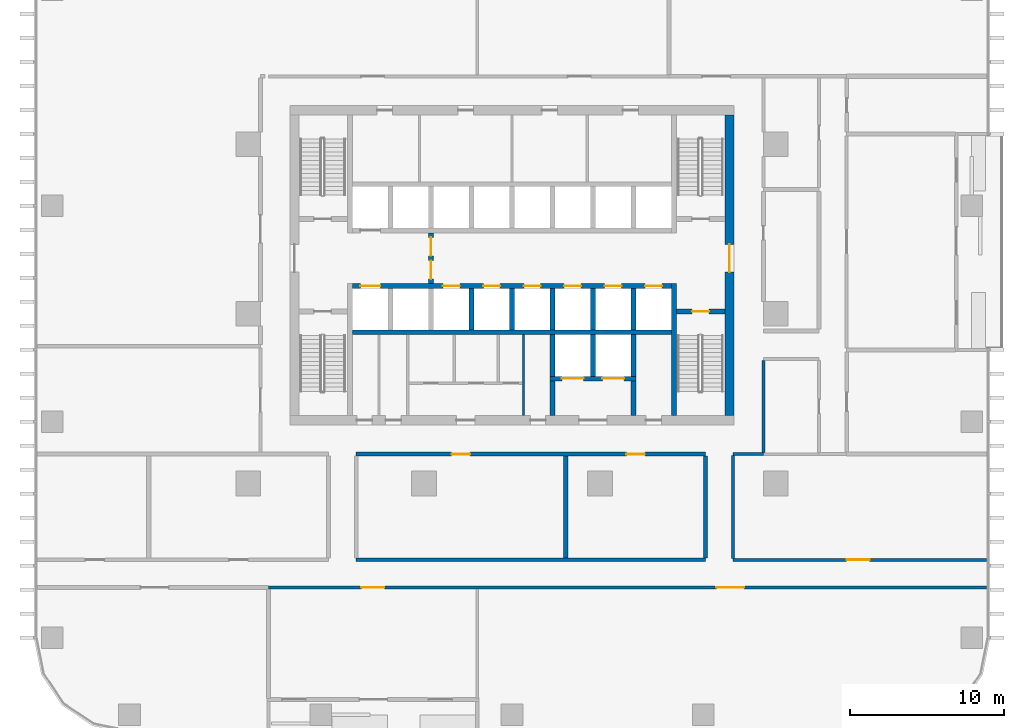
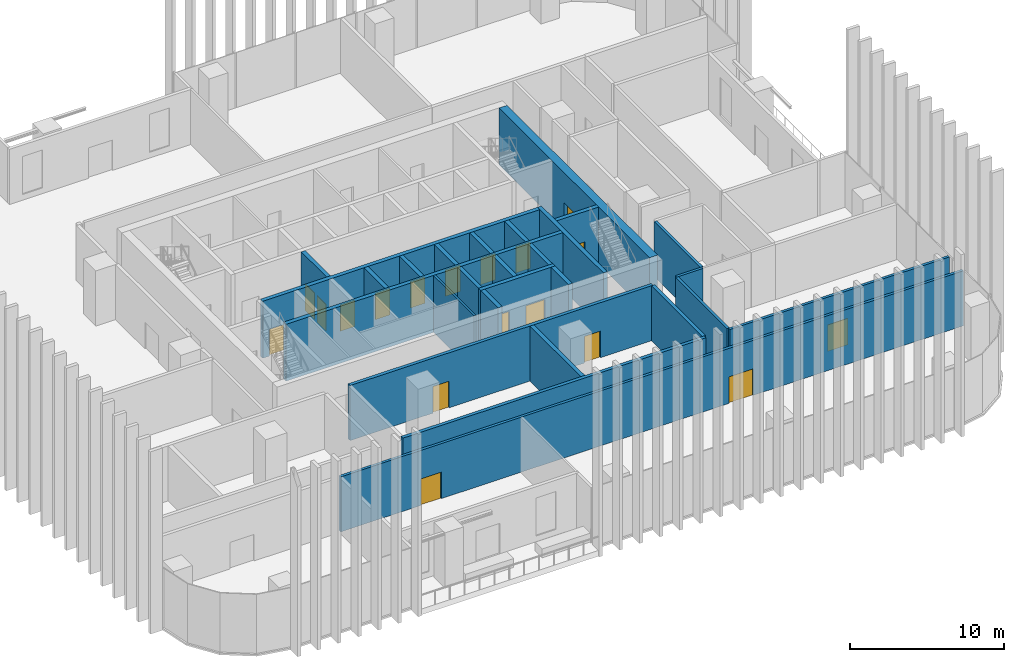
# One storey, part 8 of 16: 27 walls, 18 doors, 18 openings.
"""IFC4 building model written with IfcOpenShell, lengths in metres."""

from ifc_helpers import new_model, si_unit, direction, frame, frame_2d, origin, place, context, subcontext, project, spatial, rectangle, extrude, material, layer, layer_set, type_object, element, fill, save


model = new_model("IFC4")

# Units and contexts
model_context = context("Model", 3, precision=1e-05, world=origin(), true_north=direction((0.0, 1.0)))
body_context = subcontext(model_context, "Body", "Model", "MODEL_VIEW")
ifc_project = project(units=[si_unit("LENGTHUNIT", "METRE"), si_unit("AREAUNIT", "SQUARE_METRE"), si_unit("VOLUMEUNIT", "CUBIC_METRE"), si_unit("PLANEANGLEUNIT", "RADIAN"), si_unit("MASSUNIT", "GRAM", prefix="KILO")], contexts=[model_context])

# Site, building, storey
site_placement = place(None, origin())
site = spatial("IfcSite", under=ifc_project, at=site_placement, CompositionType="ELEMENT")
building_placement = place(site_placement, origin())
building = spatial("IfcBuilding", under=site, at=building_placement, Name="Mopane Tessera Tower", CompositionType="ELEMENT")
storey_placement = place(building_placement, frame((0.0, 0.0, 59.800048828125)))
storey = spatial("IfcBuildingStorey", under=building, at=storey_placement, Name="L11", CompositionType="ELEMENT", Elevation=59.800048828125)

# Wall
ifc_material_1 = material(Name="Fire-rated gypsum board partition")
ifc_layer_1 = layer(ifc_material_1, 0.14990234375)
ifc_layer_set_1 = layer_set([ifc_layer_1], Name="Fire-rated gypsum board partition")
wall_type_1 = type_object("IfcWallType", Name="Core room partition 150 mm", PredefinedType="PARTITIONING", material=ifc_layer_set_1)
wall_1_placement = place(storey_placement, frame((0.75, -6.60009765625, 0.0), z_axis=(0.0, 0.0, 1.0), x_axis=(0.0, 1.0, 0.0)))
element("IfcWall", 1, at=wall_1_placement, inside=storey, type_object=wall_type_1, Name="L11 Room partition", PredefinedType="PARTITIONING", context=body_context, shape_type="SweptSolid", body=[
    extrude(rectangle(XDim=5.25, YDim=0.14990234375, at=frame_2d((2.625, 0.0))), origin(), (0.0, 0.0, 1.0), 4.5),
])

# Wall, opening, door
ifc_material_2 = material(Name="Concrete C70/85", Category="concrete")
ifc_layer_2 = layer(ifc_material_2, 0.60009765625)
ifc_layer_set_2 = layer_set([ifc_layer_2], Name="Concrete C70/85")
wall_type_2 = type_object("IfcWallType", Name="Core shear wall 600 mm", PredefinedType="SHEAR", material=ifc_layer_set_2)
wall_2_placement = place(storey_placement, frame((14.10009765625, -6.60009765625, 0.0), z_axis=(0.0, 0.0, 1.0), x_axis=(0.0, 1.0, 0.0)))
wall_2 = element("IfcWall", 2, at=wall_2_placement, inside=storey, type_object=wall_type_2, Name="L11 Core wall east", PredefinedType="SHEAR", context=body_context, shape_type="SweptSolid", body=[
    extrude(rectangle(XDim=19.5, YDim=0.60009765625, at=frame_2d((9.75, 0.0))), origin(), (0.0, 0.0, 1.0), 4.5),
])
opening_1_placement = place(wall_2_placement, frame((9.300048828125, 0.0, 0.0)))
opening_1 = element("IfcOpeningElement", 3, at=opening_1_placement, cuts=wall_2, Name="Opening SD2", PredefinedType="OPENING", context=body_context, shape_type="SweptSolid", body=[
    extrude(rectangle(XDim=1.800048828125, YDim=2.10009765625, at=frame_2d((0.89990234375, 1.050048828125))), frame((0.0, 0.31201171875, 0.0), z_axis=(0.0, -1.0, 0.0), x_axis=(1.0, 0.0, 0.0)), (0.0, 0.0, 1.0), 0.6240234375),
])
ifc_material_3 = material(Name="Steel fire door", Category="steel")
door_type_1 = type_object("IfcDoorType", Name="Core entrance double door 1800 x 2100", OperationType="DOUBLE_DOOR_SINGLE_SWING", PredefinedType="DOOR", material=ifc_material_3)
door_1_placement = place(opening_1_placement, origin())
door_1 = element("IfcDoor", 4, at=door_1_placement, inside=storey, type_object=door_type_1, Name="L11 Core entrance door east", OperationType="DOUBLE_DOOR_SINGLE_SWING", OverallHeight=2.10009765625, OverallWidth=1.800048828125, PredefinedType="DOOR", context=body_context, shape_type="SweptSolid", body=[
    extrude(rectangle(XDim=1.800048828125, YDim=2.10009765625, at=frame_2d((0.89990234375, 1.050048828125))), frame((0.0, 0.02490234375, 0.0), z_axis=(0.0, -1.0, 0.0), x_axis=(1.0, 0.0, 0.0)), (0.0, 0.0, 1.0), 0.050048828125),
])
fill(opening_1, door_1)

# Wall
ifc_material_4 = material(Name="Concrete C60/75", Category="concrete")
ifc_layer_3 = layer(ifc_material_4, 0.300048828125)
ifc_layer_set_3 = layer_set([ifc_layer_3], Name="Concrete C60/75")
wall_type_3 = type_object("IfcWallType", Name="Core spine wall 300 mm", PredefinedType="SHEAR", material=ifc_layer_set_3)
wall_3_placement = place(storey_placement, frame((10.5, -6.60009765625, 0.0), z_axis=(0.0, 0.0, 1.0), x_axis=(0.0, 1.0, 0.0)))
element("IfcWall", 5, at=wall_3_placement, inside=storey, type_object=wall_type_3, Name="L11 Core spine wall", PredefinedType="SHEAR", context=body_context, shape_type="SweptSolid", body=[
    extrude(rectangle(XDim=8.550048828125, YDim=0.300048828125, at=frame_2d((4.27490234375, 0.0))), origin(), (0.0, 0.0, 1.0), 4.5),
])

# Wall, openings, doors
ifc_material_5 = material(Name="Gypsum board on steel studs, two layers each face, mineral wool infill", Category="steel")
ifc_layer_4 = layer(ifc_material_5, 0.199951171875)
ifc_layer_set_4 = layer_set([ifc_layer_4], Name="Gypsum board on steel studs, two layers each face, mineral wool infill")
wall_type_4 = type_object("IfcWallType", Name="Gypsum board corridor wall 200, rated EI 60", PredefinedType="PARTITIONING", material=ifc_layer_set_4)
wall_4_placement = place(storey_placement, frame((-15.780029296875, -17.75, 0.0), z_axis=(0.0, 0.0, 1.0), x_axis=(1.0, 0.0, 0.0)))
wall_4 = element("IfcWall", 6, at=wall_4_placement, inside=storey, type_object=wall_type_4, Name="Partition L11:000", PredefinedType="PARTITIONING", context=body_context, shape_type="SweptSolid", body=[
    extrude(rectangle(XDim=46.530029296875, YDim=0.199951171875, at=frame_2d((23.26513671875, 0.0))), origin(), (0.0, 0.0, 1.0), 4.349853515625),
])
opening_2_placement = place(wall_4_placement, frame((29.027587890625, 0.0, 0.0)))
opening_2 = element("IfcOpeningElement", 7, at=opening_2_placement, cuts=wall_4, Name="Opening L11-05", PredefinedType="OPENING", context=body_context, shape_type="SweptSolid", body=[
    extrude(rectangle(XDim=1.800048828125, YDim=2.10009765625, at=frame_2d((0.89990234375, 1.050048828125))), frame((0.0, 0.112060546875, 0.0), z_axis=(0.0, -1.0, 0.0), x_axis=(1.0, 0.0, 0.0)), (0.0, 0.0, 1.0), 0.223876953125),
])
opening_3_placement = place(wall_4_placement, frame((6.012451171875, 0.0, 0.0)))
opening_3 = element("IfcOpeningElement", 8, at=opening_3_placement, cuts=wall_4, Name="Opening L11-16", PredefinedType="OPENING", context=body_context, shape_type="SweptSolid", body=[
    extrude(rectangle(XDim=1.5, YDim=2.10009765625, at=frame_2d((0.75, 1.050048828125))), frame((0.0, 0.112060546875, 0.0), z_axis=(0.0, -1.0, 0.0), x_axis=(1.0, 0.0, 0.0)), (0.0, 0.0, 1.0), 0.223876953125),
])
ifc_material_6 = material(Name="Timber veneered steel-framed fire door", Category="steel")
door_type_2 = type_object("IfcDoorType", Name="Fire door pair FD60 1500 x 2100", OperationType="DOUBLE_DOOR_SINGLE_SWING", PredefinedType="DOOR", material=ifc_material_6)
door_2_placement = place(opening_3_placement, origin())
door_2 = element("IfcDoor", 9, at=door_2_placement, inside=storey, type_object=door_type_2, Name="Door L11-16", ObjectType="D17A", OperationType="DOUBLE_DOOR_SINGLE_SWING", OverallHeight=2.10009765625, OverallWidth=1.5, PredefinedType="DOOR", context=body_context, shape_type="SweptSolid", body=[
    extrude(rectangle(XDim=1.5, YDim=2.10009765625, at=frame_2d((0.75, 1.050048828125))), frame((0.0, 0.02490234375, 0.0), z_axis=(0.0, -1.0, 0.0), x_axis=(1.0, 0.0, 0.0)), (0.0, 0.0, 1.0), 0.050048828125),
])
fill(opening_3, door_2)
ifc_material_7 = material(Name="Timber veneered steel-framed fire door", Category="steel")
door_type_3 = type_object("IfcDoorType", Name="Fire door pair FD60 1800 x 2100", OperationType="DOUBLE_DOOR_SINGLE_SWING", PredefinedType="DOOR", material=ifc_material_7)
door_3_placement = place(opening_2_placement, origin())
door_3 = element("IfcDoor", 10, at=door_3_placement, inside=storey, type_object=door_type_3, Name="Door L11-05", ObjectType="D20A", OperationType="DOUBLE_DOOR_SINGLE_SWING", OverallHeight=2.10009765625, OverallWidth=1.800048828125, PredefinedType="DOOR", context=body_context, shape_type="SweptSolid", body=[
    extrude(rectangle(XDim=1.800048828125, YDim=2.10009765625, at=frame_2d((0.89990234375, 1.050048828125))), frame((0.0, 0.02490234375, 0.0), z_axis=(0.0, -1.0, 0.0), x_axis=(1.0, 0.0, 0.0)), (0.0, 0.0, 1.0), 0.050048828125),
])
fill(opening_2, door_3)

# Wall, opening, door
wall_5_placement = place(storey_placement, frame((14.340087890625, -15.949951171875, 0.0), z_axis=(0.0, 0.0, 1.0), x_axis=(1.0, 0.0, 0.0)))
wall_5 = element("IfcWall", 11, at=wall_5_placement, inside=storey, type_object=wall_type_4, Name="Partition L11:002", PredefinedType="PARTITIONING", context=body_context, shape_type="SweptSolid", body=[
    extrude(rectangle(XDim=16.409912109375, YDim=0.199951171875, at=frame_2d((8.205078125, 0.0))), origin(), (0.0, 0.0, 1.0), 4.349853515625),
])
opening_4_placement = place(wall_5_placement, frame((7.35498046875, 0.0, 0.0)))
opening_4 = element("IfcOpeningElement", 12, at=opening_4_placement, cuts=wall_5, Name="Opening L11-19", PredefinedType="OPENING", context=body_context, shape_type="SweptSolid", body=[
    extrude(rectangle(XDim=1.5, YDim=2.10009765625, at=frame_2d((0.75, 1.050048828125))), frame((0.0, 0.112060546875, 0.0), z_axis=(0.0, -1.0, 0.0), x_axis=(1.0, 0.0, 0.0)), (0.0, 0.0, 1.0), 0.223876953125),
])
door_4_placement = place(opening_4_placement, origin())
door_4 = element("IfcDoor", 13, at=door_4_placement, inside=storey, type_object=door_type_2, Name="Door L11-19", ObjectType="D17A", OperationType="DOUBLE_DOOR_SINGLE_SWING", OverallHeight=2.10009765625, OverallWidth=1.5, PredefinedType="DOOR", context=body_context, shape_type="SweptSolid", body=[
    extrude(rectangle(XDim=1.5, YDim=2.10009765625, at=frame_2d((0.75, 1.050048828125))), frame((0.0, 0.02490234375, 0.0), z_axis=(0.0, -1.0, 0.0), x_axis=(1.0, 0.0, 0.0)), (0.0, 0.0, 1.0), 0.050048828125),
])
fill(opening_4, door_4)

# Walls
wall_6_placement = place(storey_placement, frame((14.340087890625, -9.10009765625, 0.0), z_axis=(0.0, 0.0, 1.0), x_axis=(1.0, 0.0, 0.0)))
element("IfcWall", 14, at=wall_6_placement, inside=storey, type_object=wall_type_4, Name="Partition L11:006", PredefinedType="PARTITIONING", context=body_context, shape_type="SweptSolid", body=[
    extrude(rectangle(XDim=1.9599609375, YDim=0.199951171875, at=frame_2d((0.97998046875, 0.0))), origin(), (0.0, 0.0, 1.0), 4.349853515625),
])
wall_7_placement = place(storey_placement, frame((14.340087890625, -15.85009765625, 0.0), z_axis=(0.0, 0.0, 1.0), x_axis=(0.0, 1.0, 0.0)))
element("IfcWall", 15, at=wall_7_placement, inside=storey, type_object=wall_type_4, Name="Partition L11:034", PredefinedType="PARTITIONING", context=body_context, shape_type="SweptSolid", body=[
    extrude(rectangle(XDim=6.650146484375, YDim=0.199951171875, at=frame_2d((3.3251953125, 0.0))), origin(), (0.0, 0.0, 1.0), 4.349853515625),
])
wall_8_placement = place(storey_placement, frame((16.300048828125, -9.0, 0.0), z_axis=(0.0, 0.0, 1.0), x_axis=(0.0, 1.0, 0.0)))
element("IfcWall", 16, at=wall_8_placement, inside=storey, type_object=wall_type_4, Name="Partition L11:035", PredefinedType="PARTITIONING", context=body_context, shape_type="SweptSolid", body=[
    extrude(rectangle(XDim=5.97509765625, YDim=0.199951171875, at=frame_2d((2.987548828125, 0.0))), origin(), (0.0, 0.0, 1.0), 4.349853515625),
])

# Wall, opening, door
ifc_material_8 = material(Name="Concrete C50/60", Category="concrete")
ifc_layer_5 = layer(ifc_material_8, 0.300048828125)
ifc_layer_set_5 = layer_set([ifc_layer_5], Name="Concrete C50/60")
wall_type_5 = type_object("IfcWallType", Name="Lift and stair shaft wall 300 mm", PredefinedType="SOLIDWALL", material=ifc_layer_set_5)
wall_9_placement = place(storey_placement, frame((10.64990234375, 0.14990234375, 0.0), z_axis=(0.0, 0.0, 1.0), x_axis=(1.0, 0.0, 0.0)))
wall_9 = element("IfcWall", 17, at=wall_9_placement, inside=storey, type_object=wall_type_5, Name="L11 Stair enclosure wall", PredefinedType="SOLIDWALL", context=body_context, shape_type="SweptSolid", body=[
    extrude(rectangle(XDim=3.150146484375, YDim=0.300048828125, at=frame_2d((1.5751953125, 0.0))), origin(), (0.0, 0.0, 1.0), 4.5),
])
opening_5_placement = place(wall_9_placement, frame((1.02490234375, 0.0, 0.0)))
opening_5 = element("IfcOpeningElement", 18, at=opening_5_placement, cuts=wall_9, Name="Opening SD1", PredefinedType="OPENING", context=body_context, shape_type="SweptSolid", body=[
    extrude(rectangle(XDim=1.10009765625, YDim=2.10009765625, at=frame_2d((0.550048828125, 1.050048828125))), frame((0.0, 0.162109375, 0.0), z_axis=(0.0, -1.0, 0.0), x_axis=(1.0, 0.0, 0.0)), (0.0, 0.0, 1.0), 0.323974609375),
])
ifc_material_9 = material(Name="Steel fire door", Category="steel")
door_type_4 = type_object("IfcDoorType", Name="Stair fire door 1100 x 2100", OperationType="SINGLE_SWING_LEFT", PredefinedType="DOOR", material=ifc_material_9)
door_5_placement = place(opening_5_placement, origin())
door_5 = element("IfcDoor", 19, at=door_5_placement, inside=storey, type_object=door_type_4, Name="L11 Stair door ST3", OperationType="SINGLE_SWING_RIGHT", OverallHeight=2.10009765625, OverallWidth=1.10009765625, PredefinedType="DOOR", context=body_context, shape_type="SweptSolid", body=[
    extrude(rectangle(XDim=1.10009765625, YDim=2.10009765625, at=frame_2d((0.550048828125, 1.050048828125))), frame((0.0, 0.02490234375, 0.0), z_axis=(0.0, -1.0, 0.0), x_axis=(1.0, 0.0, 0.0)), (0.0, 0.0, 1.0), 0.050048828125),
])
fill(opening_5, door_5)

# Wall
wall_10_placement = place(storey_placement, frame((-10.35009765625, -1.199951171875, 0.0), z_axis=(0.0, 0.0, 1.0), x_axis=(1.0, 0.0, 0.0)))
element("IfcWall", 20, at=wall_10_placement, inside=storey, type_object=wall_type_5, Name="L11 Lift shaft rear wall", PredefinedType="SOLIDWALL", context=body_context, shape_type="SweptSolid", body=[
    extrude(rectangle(XDim=20.7001953125, YDim=0.300048828125, at=frame_2d((10.35009765625, 0.0))), origin(), (0.0, 0.0, 1.0), 4.5),
])

# Wall, openings, doors
wall_11_placement = place(storey_placement, frame((-10.35009765625, 1.800048828125, 0.0), z_axis=(0.0, 0.0, 1.0), x_axis=(1.0, 0.0, 0.0)))
wall_11 = element("IfcWall", 21, at=wall_11_placement, inside=storey, type_object=wall_type_5, Name="L11 Lift shaft front wall", PredefinedType="SOLIDWALL", context=body_context, shape_type="SweptSolid", body=[
    extrude(rectangle(XDim=20.7001953125, YDim=0.300048828125, at=frame_2d((10.35009765625, 0.0))), origin(), (0.0, 0.0, 1.0), 4.5),
])
opening_6_placement = place(wall_11_placement, frame((0.512451171875, 0.0, 0.0)))
opening_6 = element("IfcOpeningElement", 22, at=opening_6_placement, cuts=wall_11, Name="Opening LD2", PredefinedType="OPENING", context=body_context, shape_type="SweptSolid", body=[
    extrude(rectangle(XDim=1.300048828125, YDim=2.10009765625, at=frame_2d((0.64990234375, 1.050048828125))), frame((0.0, 0.162109375, 0.0), z_axis=(0.0, -1.0, 0.0), x_axis=(1.0, 0.0, 0.0)), (0.0, 0.0, 1.0), 0.323974609375),
])
opening_7_placement = place(wall_11_placement, frame((5.862548828125, 0.0, 0.0)))
opening_7 = element("IfcOpeningElement", 23, at=opening_7_placement, cuts=wall_11, Name="Opening LD", PredefinedType="OPENING", context=body_context, shape_type="SweptSolid", body=[
    extrude(rectangle(XDim=1.10009765625, YDim=2.10009765625, at=frame_2d((0.550048828125, 1.050048828125))), frame((0.0, 0.162109375, 0.0), z_axis=(0.0, -1.0, 0.0), x_axis=(1.0, 0.0, 0.0)), (0.0, 0.0, 1.0), 0.323974609375),
])
opening_8_placement = place(wall_11_placement, frame((8.487548828125, 0.0, 0.0)))
opening_8 = element("IfcOpeningElement", 24, at=opening_8_placement, cuts=wall_11, Name="Opening LD", PredefinedType="OPENING", context=body_context, shape_type="SweptSolid", body=[
    extrude(rectangle(XDim=1.10009765625, YDim=2.10009765625, at=frame_2d((0.550048828125, 1.050048828125))), frame((0.0, 0.162109375, 0.0), z_axis=(0.0, -1.0, 0.0), x_axis=(1.0, 0.0, 0.0)), (0.0, 0.0, 1.0), 0.323974609375),
])
opening_9_placement = place(wall_11_placement, frame((11.112548828125, 0.0, 0.0)))
opening_9 = element("IfcOpeningElement", 25, at=opening_9_placement, cuts=wall_11, Name="Opening LD", PredefinedType="OPENING", context=body_context, shape_type="SweptSolid", body=[
    extrude(rectangle(XDim=1.10009765625, YDim=2.10009765625, at=frame_2d((0.550048828125, 1.050048828125))), frame((0.0, 0.162109375, 0.0), z_axis=(0.0, -1.0, 0.0), x_axis=(1.0, 0.0, 0.0)), (0.0, 0.0, 1.0), 0.323974609375),
])
opening_10_placement = place(wall_11_placement, frame((13.737548828125, 0.0, 0.0)))
opening_10 = element("IfcOpeningElement", 26, at=opening_10_placement, cuts=wall_11, Name="Opening LD", PredefinedType="OPENING", context=body_context, shape_type="SweptSolid", body=[
    extrude(rectangle(XDim=1.10009765625, YDim=2.10009765625, at=frame_2d((0.550048828125, 1.050048828125))), frame((0.0, 0.162109375, 0.0), z_axis=(0.0, -1.0, 0.0), x_axis=(1.0, 0.0, 0.0)), (0.0, 0.0, 1.0), 0.323974609375),
])
opening_11_placement = place(wall_11_placement, frame((16.362548828125, 0.0, 0.0)))
opening_11 = element("IfcOpeningElement", 27, at=opening_11_placement, cuts=wall_11, Name="Opening LD", PredefinedType="OPENING", context=body_context, shape_type="SweptSolid", body=[
    extrude(rectangle(XDim=1.10009765625, YDim=2.10009765625, at=frame_2d((0.550048828125, 1.050048828125))), frame((0.0, 0.162109375, 0.0), z_axis=(0.0, -1.0, 0.0), x_axis=(1.0, 0.0, 0.0)), (0.0, 0.0, 1.0), 0.323974609375),
])
opening_12_placement = place(wall_11_placement, frame((18.987548828125, 0.0, 0.0)))
opening_12 = element("IfcOpeningElement", 28, at=opening_12_placement, cuts=wall_11, Name="Opening LD", PredefinedType="OPENING", context=body_context, shape_type="SweptSolid", body=[
    extrude(rectangle(XDim=1.10009765625, YDim=2.10009765625, at=frame_2d((0.550048828125, 1.050048828125))), frame((0.0, 0.162109375, 0.0), z_axis=(0.0, -1.0, 0.0), x_axis=(1.0, 0.0, 0.0)), (0.0, 0.0, 1.0), 0.323974609375),
])
ifc_material_10 = material(Name="Stainless steel sliding door", Category="steel")
door_type_5 = type_object("IfcDoorType", Name="Fire-fighting lift landing door 1300 x 2100", OperationType="DOUBLE_DOOR_SLIDING", PredefinedType="DOOR", material=ifc_material_10)
door_6_placement = place(opening_6_placement, origin())
door_6 = element("IfcDoor", 29, at=door_6_placement, inside=storey, type_object=door_type_5, Name="L11 Lift landing door FF1", OperationType="DOUBLE_DOOR_SLIDING", OverallHeight=2.10009765625, OverallWidth=1.300048828125, PredefinedType="DOOR", context=body_context, shape_type="SweptSolid", body=[
    extrude(rectangle(XDim=1.300048828125, YDim=2.10009765625, at=frame_2d((0.64990234375, 1.050048828125))), frame((0.0, 0.02490234375, 0.0), z_axis=(0.0, -1.0, 0.0), x_axis=(1.0, 0.0, 0.0)), (0.0, 0.0, 1.0), 0.050048828125),
])
fill(opening_6, door_6)
ifc_material_11 = material(Name="Stainless steel sliding door", Category="steel")
door_type_6 = type_object("IfcDoorType", Name="Lift landing door 1100 x 2100", OperationType="DOUBLE_DOOR_SLIDING", PredefinedType="DOOR", material=ifc_material_11)
door_7_placement = place(opening_7_placement, origin())
door_7 = element("IfcDoor", 30, at=door_7_placement, inside=storey, type_object=door_type_6, Name="L11 Lift landing door LR1", OperationType="DOUBLE_DOOR_SLIDING", OverallHeight=2.10009765625, OverallWidth=1.10009765625, PredefinedType="DOOR", context=body_context, shape_type="SweptSolid", body=[
    extrude(rectangle(XDim=1.10009765625, YDim=2.10009765625, at=frame_2d((0.550048828125, 1.050048828125))), frame((0.0, 0.02490234375, 0.0), z_axis=(0.0, -1.0, 0.0), x_axis=(1.0, 0.0, 0.0)), (0.0, 0.0, 1.0), 0.050048828125),
])
fill(opening_7, door_7)
door_8_placement = place(opening_8_placement, origin())
door_8 = element("IfcDoor", 31, at=door_8_placement, inside=storey, type_object=door_type_6, Name="L11 Lift landing door LR2", OperationType="DOUBLE_DOOR_SLIDING", OverallHeight=2.10009765625, OverallWidth=1.10009765625, PredefinedType="DOOR", context=body_context, shape_type="SweptSolid", body=[
    extrude(rectangle(XDim=1.10009765625, YDim=2.10009765625, at=frame_2d((0.550048828125, 1.050048828125))), frame((0.0, 0.02490234375, 0.0), z_axis=(0.0, -1.0, 0.0), x_axis=(1.0, 0.0, 0.0)), (0.0, 0.0, 1.0), 0.050048828125),
])
fill(opening_8, door_8)
door_9_placement = place(opening_9_placement, origin())
door_9 = element("IfcDoor", 32, at=door_9_placement, inside=storey, type_object=door_type_6, Name="L11 Lift landing door LR3", OperationType="DOUBLE_DOOR_SLIDING", OverallHeight=2.10009765625, OverallWidth=1.10009765625, PredefinedType="DOOR", context=body_context, shape_type="SweptSolid", body=[
    extrude(rectangle(XDim=1.10009765625, YDim=2.10009765625, at=frame_2d((0.550048828125, 1.050048828125))), frame((0.0, 0.02490234375, 0.0), z_axis=(0.0, -1.0, 0.0), x_axis=(1.0, 0.0, 0.0)), (0.0, 0.0, 1.0), 0.050048828125),
])
fill(opening_9, door_9)
door_10_placement = place(opening_10_placement, origin())
door_10 = element("IfcDoor", 33, at=door_10_placement, inside=storey, type_object=door_type_6, Name="L11 Lift landing door LR4", OperationType="DOUBLE_DOOR_SLIDING", OverallHeight=2.10009765625, OverallWidth=1.10009765625, PredefinedType="DOOR", context=body_context, shape_type="SweptSolid", body=[
    extrude(rectangle(XDim=1.10009765625, YDim=2.10009765625, at=frame_2d((0.550048828125, 1.050048828125))), frame((0.0, 0.02490234375, 0.0), z_axis=(0.0, -1.0, 0.0), x_axis=(1.0, 0.0, 0.0)), (0.0, 0.0, 1.0), 0.050048828125),
])
fill(opening_10, door_10)
door_11_placement = place(opening_11_placement, origin())
door_11 = element("IfcDoor", 34, at=door_11_placement, inside=storey, type_object=door_type_6, Name="L11 Lift landing door LR5", OperationType="DOUBLE_DOOR_SLIDING", OverallHeight=2.10009765625, OverallWidth=1.10009765625, PredefinedType="DOOR", context=body_context, shape_type="SweptSolid", body=[
    extrude(rectangle(XDim=1.10009765625, YDim=2.10009765625, at=frame_2d((0.550048828125, 1.050048828125))), frame((0.0, 0.02490234375, 0.0), z_axis=(0.0, -1.0, 0.0), x_axis=(1.0, 0.0, 0.0)), (0.0, 0.0, 1.0), 0.050048828125),
])
fill(opening_11, door_11)
door_12_placement = place(opening_12_placement, origin())
door_12 = element("IfcDoor", 35, at=door_12_placement, inside=storey, type_object=door_type_6, Name="L11 Lift landing door LR6", OperationType="DOUBLE_DOOR_SLIDING", OverallHeight=2.10009765625, OverallWidth=1.10009765625, PredefinedType="DOOR", context=body_context, shape_type="SweptSolid", body=[
    extrude(rectangle(XDim=1.10009765625, YDim=2.10009765625, at=frame_2d((0.550048828125, 1.050048828125))), frame((0.0, 0.02490234375, 0.0), z_axis=(0.0, -1.0, 0.0), x_axis=(1.0, 0.0, 0.0)), (0.0, 0.0, 1.0), 0.050048828125),
])
fill(opening_12, door_12)

# Walls
for number, where, z_axis, x_axis, name in (
    (36, (-2.625, -1.050048828125, 0.0), (0.0, 0.0, 1.0), (0.0, 1.0, 0.0), "L11 Lift shaft wall"),
    (37, (0.0, -1.050048828125, 0.0), (0.0, 0.0, 1.0), (0.0, 1.0, 0.0), "L11 Lift shaft wall"),
    (38, (2.625, -1.050048828125, 0.0), (0.0, 0.0, 1.0), (0.0, 1.0, 0.0), "L11 Lift shaft wall"),
    (39, (5.25, -1.050048828125, 0.0), (0.0, 0.0, 1.0), (0.0, 1.0, 0.0), "L11 Lift shaft wall"),
    (40, (7.875, -1.050048828125, 0.0), (0.0, 0.0, 1.0), (0.0, 1.0, 0.0), "L11 Lift shaft wall"),
):
    element("IfcWall", number, at=place(storey_placement, frame(where, z_axis=z_axis, x_axis=x_axis)), inside=storey, type_object=wall_type_5, Name=name, PredefinedType="SOLIDWALL", context=body_context, shape_type="SweptSolid", body=[
        extrude(rectangle(XDim=2.699951171875, YDim=0.300048828125, at=frame_2d((1.35009765625, 0.0))), origin(), (0.0, 0.0, 1.0), 4.5),
    ])

# Wall, openings, doors
wall_12_placement = place(storey_placement, frame((2.47509765625, -4.199951171875, 0.0), z_axis=(0.0, 0.0, 1.0), x_axis=(1.0, 0.0, 0.0)))
wall_12 = element("IfcWall", 41, at=wall_12_placement, inside=storey, type_object=wall_type_5, Name="L11 Lift shaft front wall", PredefinedType="SOLIDWALL", context=body_context, shape_type="SweptSolid", body=[
    extrude(rectangle(XDim=5.5498046875, YDim=0.300048828125, at=frame_2d((2.77490234375, 0.0))), origin(), (0.0, 0.0, 1.0), 4.5),
])
opening_13_placement = place(wall_12_placement, frame((0.762451171875, 0.0, 0.0)))
opening_13 = element("IfcOpeningElement", 42, at=opening_13_placement, cuts=wall_12, Name="Opening LD3", PredefinedType="OPENING", context=body_context, shape_type="SweptSolid", body=[
    extrude(rectangle(XDim=1.39990234375, YDim=2.10009765625, at=frame_2d((0.699951171875, 1.050048828125))), frame((0.0, 0.162109375, 0.0), z_axis=(0.0, -1.0, 0.0), x_axis=(1.0, 0.0, 0.0)), (0.0, 0.0, 1.0), 0.323974609375),
])
opening_14_placement = place(wall_12_placement, frame((3.387451171875, 0.0, 0.0)))
opening_14 = element("IfcOpeningElement", 43, at=opening_14_placement, cuts=wall_12, Name="Opening LD3", PredefinedType="OPENING", context=body_context, shape_type="SweptSolid", body=[
    extrude(rectangle(XDim=1.39990234375, YDim=2.10009765625, at=frame_2d((0.699951171875, 1.050048828125))), frame((0.0, 0.162109375, 0.0), z_axis=(0.0, -1.0, 0.0), x_axis=(1.0, 0.0, 0.0)), (0.0, 0.0, 1.0), 0.323974609375),
])
ifc_material_12 = material(Name="Stainless steel sliding door", Category="steel")
door_type_7 = type_object("IfcDoorType", Name="Service lift landing door 1400 x 2100", OperationType="DOUBLE_DOOR_SLIDING", PredefinedType="DOOR", material=ifc_material_12)
door_13_placement = place(opening_13_placement, origin())
door_13 = element("IfcDoor", 44, at=door_13_placement, inside=storey, type_object=door_type_7, Name="L11 Lift landing door SV1", OperationType="DOUBLE_DOOR_SLIDING", OverallHeight=2.10009765625, OverallWidth=1.39990234375, PredefinedType="DOOR", context=body_context, shape_type="SweptSolid", body=[
    extrude(rectangle(XDim=1.39990234375, YDim=2.10009765625, at=frame_2d((0.699951171875, 1.050048828125))), frame((0.0, 0.02490234375, 0.0), z_axis=(0.0, -1.0, 0.0), x_axis=(1.0, 0.0, 0.0)), (0.0, 0.0, 1.0), 0.050048828125),
])
fill(opening_13, door_13)
door_14_placement = place(opening_14_placement, origin())
door_14 = element("IfcDoor", 45, at=door_14_placement, inside=storey, type_object=door_type_7, Name="L11 Lift landing door SV2", OperationType="DOUBLE_DOOR_SLIDING", OverallHeight=2.10009765625, OverallWidth=1.39990234375, PredefinedType="DOOR", context=body_context, shape_type="SweptSolid", body=[
    extrude(rectangle(XDim=1.39990234375, YDim=2.10009765625, at=frame_2d((0.699951171875, 1.050048828125))), frame((0.0, 0.02490234375, 0.0), z_axis=(0.0, -1.0, 0.0), x_axis=(1.0, 0.0, 0.0)), (0.0, 0.0, 1.0), 0.050048828125),
])
fill(opening_14, door_14)

# Walls
for number, where, z_axis, x_axis, name in (
    (46, (2.625, -4.050048828125, 0.0), (0.0, 0.0, 1.0), (0.0, 1.0, 0.0), "L11 Lift shaft wall"),
    (47, (5.25, -4.050048828125, 0.0), (0.0, 0.0, 1.0), (0.0, 1.0, 0.0), "L11 Lift shaft wall"),
    (48, (7.875, -4.050048828125, 0.0), (0.0, 0.0, 1.0), (0.0, 1.0, 0.0), "L11 Lift shaft wall"),
):
    element("IfcWall", number, at=place(storey_placement, frame(where, z_axis=z_axis, x_axis=x_axis)), inside=storey, type_object=wall_type_5, Name=name, PredefinedType="SOLIDWALL", context=body_context, shape_type="SweptSolid", body=[
        extrude(rectangle(XDim=2.699951171875, YDim=0.300048828125, at=frame_2d((1.35009765625, 0.0))), origin(), (0.0, 0.0, 1.0), 4.5),
    ])

# Wall, openings, doors
ifc_material_13 = material(Name="Concrete C50/60", Category="concrete")
ifc_layer_6 = layer(ifc_material_13, 0.300048828125)
ifc_layer_set_6 = layer_set([ifc_layer_6], Name="Concrete C50/60")
wall_type_6 = type_object("IfcWallType", Name="Lobby and refuge room wall 300 mm", PredefinedType="SOLIDWALL", material=ifc_layer_set_6)
wall_13_placement = place(storey_placement, frame((-5.25, 1.949951171875, 0.0), z_axis=(0.0, 0.0, 1.0), x_axis=(0.0, 1.0, 0.0)))
wall_13 = element("IfcWall", 49, at=wall_13_placement, inside=storey, type_object=wall_type_6, Name="L11 Fire-fighting lobby wall", PredefinedType="SOLIDWALL", context=body_context, shape_type="SweptSolid", body=[
    extrude(rectangle(XDim=3.300048828125, YDim=0.300048828125, at=frame_2d((1.64990234375, 0.0))), origin(), (0.0, 0.0, 1.0), 4.5),
])
opening_15_placement = place(wall_13_placement, frame((0.300048828125, 0.0, 0.0)))
opening_15 = element("IfcOpeningElement", 50, at=opening_15_placement, cuts=wall_13, Name="Opening SD3", PredefinedType="OPENING", context=body_context, shape_type="SweptSolid", body=[
    extrude(rectangle(XDim=1.199951171875, YDim=2.10009765625, at=frame_2d((0.60009765625, 1.050048828125))), frame((0.0, 0.162109375, 0.0), z_axis=(0.0, -1.0, 0.0), x_axis=(1.0, 0.0, 0.0)), (0.0, 0.0, 1.0), 0.323974609375),
])
opening_16_placement = place(wall_13_placement, frame((1.800048828125, 0.0, 0.0)))
opening_16 = element("IfcOpeningElement", 51, at=opening_16_placement, cuts=wall_13, Name="Opening SD3", PredefinedType="OPENING", context=body_context, shape_type="SweptSolid", body=[
    extrude(rectangle(XDim=1.199951171875, YDim=2.10009765625, at=frame_2d((0.60009765625, 1.050048828125))), frame((0.0, 0.162109375, 0.0), z_axis=(0.0, -1.0, 0.0), x_axis=(1.0, 0.0, 0.0)), (0.0, 0.0, 1.0), 0.323974609375),
])
ifc_material_14 = material(Name="Steel fire door", Category="steel")
door_type_8 = type_object("IfcDoorType", Name="Lobby fire door 1200 x 2100", OperationType="SINGLE_SWING_LEFT", PredefinedType="DOOR", material=ifc_material_14)
door_15_placement = place(opening_15_placement, origin())
door_15 = element("IfcDoor", 52, at=door_15_placement, inside=storey, type_object=door_type_8, Name="L11 Fire-fighting lobby door", OperationType="SINGLE_SWING_LEFT", OverallHeight=2.10009765625, OverallWidth=1.199951171875, PredefinedType="DOOR", context=body_context, shape_type="SweptSolid", body=[
    extrude(rectangle(XDim=1.199951171875, YDim=2.10009765625, at=frame_2d((0.60009765625, 1.050048828125))), frame((0.0, 0.02490234375, 0.0), z_axis=(0.0, -1.0, 0.0), x_axis=(1.0, 0.0, 0.0)), (0.0, 0.0, 1.0), 0.050048828125),
])
fill(opening_15, door_15)
door_16_placement = place(opening_16_placement, origin())
door_16 = element("IfcDoor", 53, at=door_16_placement, inside=storey, type_object=door_type_8, Name="L11 Fire-fighting lobby door", OperationType="SINGLE_SWING_RIGHT", OverallHeight=2.10009765625, OverallWidth=1.199951171875, PredefinedType="DOOR", context=body_context, shape_type="SweptSolid", body=[
    extrude(rectangle(XDim=1.199951171875, YDim=2.10009765625, at=frame_2d((0.60009765625, 1.050048828125))), frame((0.0, 0.02490234375, 0.0), z_axis=(0.0, -1.0, 0.0), x_axis=(1.0, 0.0, 0.0)), (0.0, 0.0, 1.0), 0.050048828125),
])
fill(opening_16, door_16)

# Walls
for number, where, z_axis, x_axis, name in (
    (54, (2.625, -6.60009765625, 0.0), (0.0, 0.0, 1.0), (0.0, 1.0, 0.0), "L11 Service lobby wall"),
    (55, (7.875, -6.60009765625, 0.0), (0.0, 0.0, 1.0), (0.0, 1.0, 0.0), "L11 Service lobby wall"),
):
    element("IfcWall", number, at=place(storey_placement, frame(where, z_axis=z_axis, x_axis=x_axis)), inside=storey, type_object=wall_type_6, Name=name, PredefinedType="SOLIDWALL", context=body_context, shape_type="SweptSolid", body=[
        extrude(rectangle(XDim=2.25, YDim=0.300048828125, at=frame_2d((1.125, 0.0))), origin(), (0.0, 0.0, 1.0), 4.5),
    ])
ifc_material_15 = material(Name="Plastered concrete blockwork C20/25", Category="masonry")
ifc_layer_7 = layer(ifc_material_15, 0.300048828125)
ifc_layer_set_7 = layer_set([ifc_layer_7], Name="Plastered concrete blockwork C20/25")
wall_type_7 = type_object("IfcWallType", Name="Plastered blockwork separation wall 300, rated EI 120", PredefinedType="PARTITIONING", material=ifc_layer_set_7)
wall_14_placement = place(storey_placement, frame((3.485107421875, -15.824951171875, 0.0), z_axis=(0.0, 0.0, 1.0), x_axis=(0.0, 1.0, 0.0)))
element("IfcWall", 56, at=wall_14_placement, inside=storey, type_object=wall_type_7, Name="Partition L11:031", PredefinedType="PARTITIONING", context=body_context, shape_type="SweptSolid", body=[
    extrude(rectangle(XDim=6.599853515625, YDim=0.300048828125, at=frame_2d((3.2998046875, 0.0))), origin(), (0.0, 0.0, 1.0), 4.349853515625),
])
ifc_material_16 = material(Name="Plastered concrete blockwork C20/25", Category="masonry")
ifc_layer_8 = layer(ifc_material_16, 0.25)
ifc_layer_set_8 = layer_set([ifc_layer_8], Name="Plastered concrete blockwork C20/25")
wall_type_8 = type_object("IfcWallType", Name="Plastered blockwork wall 250, rated EI 120", PredefinedType="PARTITIONING", material=ifc_layer_set_8)
wall_15_placement = place(storey_placement, frame((-10.10009765625, -15.949951171875, 0.0), z_axis=(0.0, 0.0, 1.0), x_axis=(1.0, 0.0, 0.0)))
element("IfcWall", 57, at=wall_15_placement, inside=storey, type_object=wall_type_8, Name="Partition L11:004", PredefinedType="PARTITIONING", context=body_context, shape_type="SweptSolid", body=[
    extrude(rectangle(XDim=22.64013671875, YDim=0.25, at=frame_2d((11.320068359375, 0.0))), origin(), (0.0, 0.0, 1.0), 4.349853515625),
])

# Wall, openings, doors
wall_16_placement = place(storey_placement, frame((-10.10009765625, -9.10009765625, 0.0), z_axis=(0.0, 0.0, 1.0), x_axis=(1.0, 0.0, 0.0)))
wall_16 = element("IfcWall", 58, at=wall_16_placement, inside=storey, type_object=wall_type_8, Name="Partition L11:009", PredefinedType="PARTITIONING", context=body_context, shape_type="SweptSolid", body=[
    extrude(rectangle(XDim=22.64013671875, YDim=0.25, at=frame_2d((11.320068359375, 0.0))), origin(), (0.0, 0.0, 1.0), 4.349853515625),
])
opening_17_placement = place(wall_16_placement, frame((17.512451171875, 0.0, 0.0)))
opening_17 = element("IfcOpeningElement", 59, at=opening_17_placement, cuts=wall_16, Name="Opening L11-02", PredefinedType="OPENING", context=body_context, shape_type="SweptSolid", body=[
    extrude(rectangle(XDim=1.199951171875, YDim=2.10009765625, at=frame_2d((0.60009765625, 1.050048828125))), frame((0.0, 0.136962890625, 0.0), z_axis=(0.0, -1.0, 0.0), x_axis=(1.0, 0.0, 0.0)), (0.0, 0.0, 1.0), 0.27392578125),
])
opening_18_placement = place(wall_16_placement, frame((6.1923828125, 0.0, 0.0)))
opening_18 = element("IfcOpeningElement", 60, at=opening_18_placement, cuts=wall_16, Name="Opening L11-10", PredefinedType="OPENING", context=body_context, shape_type="SweptSolid", body=[
    extrude(rectangle(XDim=1.199951171875, YDim=2.10009765625, at=frame_2d((0.60009765625, 1.050048828125))), frame((0.0, 0.136962890625, 0.0), z_axis=(0.0, -1.0, 0.0), x_axis=(1.0, 0.0, 0.0)), (0.0, 0.0, 1.0), 0.27392578125),
])
ifc_material_17 = material(Name="Timber veneered steel-framed fire door", Category="steel")
door_type_9 = type_object("IfcDoorType", Name="Fire door FD120 1200 x 2100", OperationType="SINGLE_SWING_LEFT", PredefinedType="DOOR", material=ifc_material_17)
door_17_placement = place(opening_17_placement, origin())
door_17 = element("IfcDoor", 61, at=door_17_placement, inside=storey, type_object=door_type_9, Name="Door L11-02", ObjectType="D15B", OperationType="SINGLE_SWING_LEFT", OverallHeight=2.10009765625, OverallWidth=1.199951171875, PredefinedType="DOOR", context=body_context, shape_type="SweptSolid", body=[
    extrude(rectangle(XDim=1.199951171875, YDim=2.10009765625, at=frame_2d((0.60009765625, 1.050048828125))), frame((0.0, 0.02490234375, 0.0), z_axis=(0.0, -1.0, 0.0), x_axis=(1.0, 0.0, 0.0)), (0.0, 0.0, 1.0), 0.050048828125),
])
fill(opening_17, door_17)
door_18_placement = place(opening_18_placement, origin())
door_18 = element("IfcDoor", 62, at=door_18_placement, inside=storey, type_object=door_type_9, Name="Door L11-10", ObjectType="D15B", OperationType="SINGLE_SWING_LEFT", OverallHeight=2.10009765625, OverallWidth=1.199951171875, PredefinedType="DOOR", context=body_context, shape_type="SweptSolid", body=[
    extrude(rectangle(XDim=1.199951171875, YDim=2.10009765625, at=frame_2d((0.60009765625, 1.050048828125))), frame((0.0, 0.02490234375, 0.0), z_axis=(0.0, -1.0, 0.0), x_axis=(1.0, 0.0, 0.0)), (0.0, 0.0, 1.0), 0.050048828125),
])
fill(opening_18, door_18)

# Wall
wall_17_placement = place(storey_placement, frame((12.5400390625, -15.824951171875, 0.0), z_axis=(0.0, 0.0, 1.0), x_axis=(0.0, 1.0, 0.0)))
element("IfcWall", 63, at=wall_17_placement, inside=storey, type_object=wall_type_8, Name="Partition L11:033", PredefinedType="PARTITIONING", context=body_context, shape_type="SweptSolid", body=[
    extrude(rectangle(XDim=6.599853515625, YDim=0.25, at=frame_2d((3.2998046875, 0.0))), origin(), (0.0, 0.0, 1.0), 4.349853515625),
])

save(model, "model.ifc")
